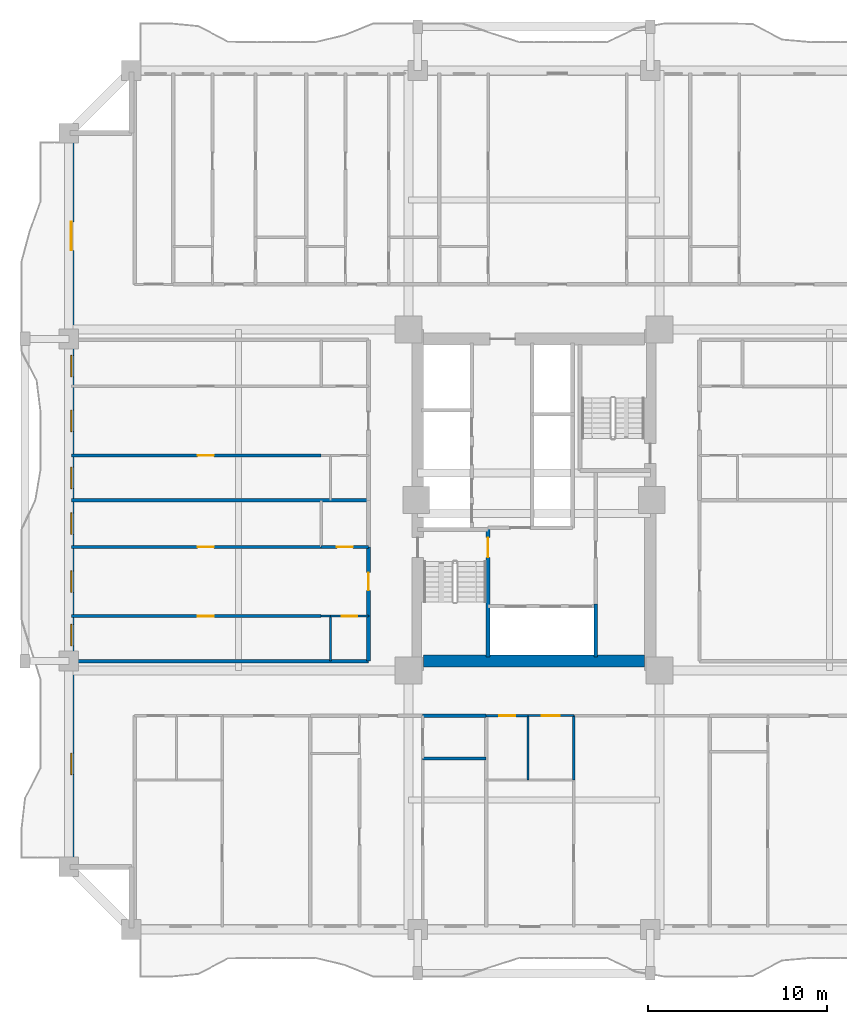
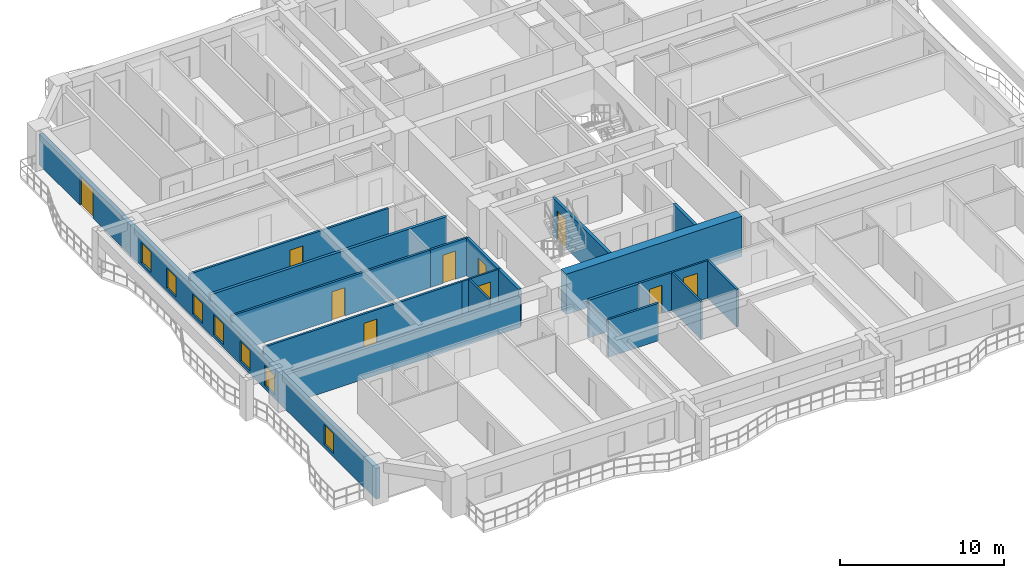
# One storey, part 3 of 15: 21 walls, 10 doors, 7 windows, 17 openings.
"""IFC4 building model written with IfcOpenShell, lengths in metres."""

from ifc_helpers import new_model, si_unit, direction, frame, frame_2d, origin, place, context, subcontext, project, spatial, rectangle, extrude, source, transform, mapped, material, layer, layer_set, type_object, element, fill, save


model = new_model("IFC4")

# Units and contexts
model_context = context("Model", 3, precision=1e-05, world=origin(), true_north=direction((0.0, 1.0)))
body_context = subcontext(model_context, "Body", "Model", "MODEL_VIEW")
ifc_project = project(units=[si_unit("LENGTHUNIT", "METRE"), si_unit("AREAUNIT", "SQUARE_METRE"), si_unit("VOLUMEUNIT", "CUBIC_METRE"), si_unit("PLANEANGLEUNIT", "RADIAN"), si_unit("MASSUNIT", "GRAM", prefix="KILO")], contexts=[model_context])

# Site, building, storey
site_placement = place(None, origin())
site = spatial("IfcSite", under=ifc_project, at=site_placement, CompositionType="ELEMENT")
building_placement = place(site_placement, origin())
building = spatial("IfcBuilding", under=site, at=building_placement, Name="Saelheon Loggia Tower", CompositionType="ELEMENT")
storey_placement = place(building_placement, frame((0.0, 0.0, 46.39990234375)))
storey = spatial("IfcBuildingStorey", under=building, at=storey_placement, Name="L14", CompositionType="ELEMENT", Elevation=46.39990234375)

# Wall
ifc_material_1 = material(Name="Concrete C60/75", Category="concrete")
ifc_layer_1 = layer(ifc_material_1, 0.64990234375)
ifc_layer_set_1 = layer_set([ifc_layer_1], Name="Concrete C60/75")
wall_type_1 = type_object("IfcWallType", Name="Wall_CoreShear_650", PredefinedType="SHEAR", material=ifc_layer_set_1)
wall_1_placement = place(storey_placement, frame((31.824951171875, 18.0, 0.0), z_axis=(0.0, 0.0, 1.0), x_axis=(1.0, 0.0, 0.0)))
element("IfcWall", 1, at=wall_1_placement, inside=storey, type_object=wall_type_1, Name="L14 Core Shear Wall South", PredefinedType="SHEAR", context=body_context, shape_type="SweptSolid", body=[
    extrude(rectangle(XDim=12.35009765625, YDim=0.64990234375, at=frame_2d((6.175048828125, 0.0))), origin(), (0.0, 0.0, 1.0), 3.0),
])

# Wall, openings, windows, door
ifc_material_2 = material(Name="Architectural Precast Concrete C40/50", Category="concrete")
ifc_layer_2 = layer(ifc_material_2, 0.280029296875)
ifc_layer_set_2 = layer_set([ifc_layer_2], Name="Architectural Precast Concrete C40/50")
wall_type_2 = type_object("IfcWallType", Name="Wall_Ext_Loggia_280", PredefinedType="SOLIDWALL", material=ifc_layer_set_2)
wall_2_placement = place(storey_placement, frame((12.139892578125, 6.5, 0.0), z_axis=(0.0, 0.0, 1.0), x_axis=(0.0, 1.0, 0.0)))
wall_2 = element("IfcWall", 2, at=wall_2_placement, inside=storey, type_object=wall_type_2, Name="L14 West Loggia Inner Wall", PredefinedType="SOLIDWALL", context=body_context, shape_type="SweptSolid", body=[
    extrude(rectangle(XDim=41.0, YDim=0.280029296875, at=frame_2d((20.5, 0.0))), origin(), (0.0, 0.0, 1.0), 2.280029296875),
])
opening_1_placement = place(wall_2_placement, frame((5.14990234375, 0.0, 0.25)))
opening_1 = element("IfcOpeningElement", 3, at=opening_1_placement, cuts=wall_2, Name="Opening WN-03", PredefinedType="OPENING", context=body_context, shape_type="SweptSolid", body=[
    extrude(rectangle(XDim=1.199951171875, YDim=1.5, at=frame_2d((0.60009765625, 0.75))), frame((0.0, 0.152099609375, 0.0), z_axis=(0.0, -1.0, 0.0), x_axis=(1.0, 0.0, 0.0)), (0.0, 0.0, 1.0), 0.303955078125),
])
opening_2_placement = place(wall_2_placement, frame((12.3515625, 0.0, 0.25)))
opening_2 = element("IfcOpeningElement", 4, at=opening_2_placement, cuts=wall_2, Name="Opening WN-03", PredefinedType="OPENING", context=body_context, shape_type="SweptSolid", body=[
    extrude(rectangle(XDim=1.199951171875, YDim=1.5, at=frame_2d((0.60009765625, 0.75))), frame((0.0, 0.152099609375, 0.0), z_axis=(0.0, -1.0, 0.0), x_axis=(1.0, 0.0, 0.0)), (0.0, 0.0, 1.0), 0.303955078125),
])
opening_3_placement = place(wall_2_placement, frame((15.343994140625, 0.0, 0.25)))
opening_3 = element("IfcOpeningElement", 5, at=opening_3_placement, cuts=wall_2, Name="Opening WN-03", PredefinedType="OPENING", context=body_context, shape_type="SweptSolid", body=[
    extrude(rectangle(XDim=1.199951171875, YDim=1.5, at=frame_2d((0.60009765625, 0.75))), frame((0.0, 0.152099609375, 0.0), z_axis=(0.0, -1.0, 0.0), x_axis=(1.0, 0.0, 0.0)), (0.0, 0.0, 1.0), 0.303955078125),
])
opening_4_placement = place(wall_2_placement, frame((18.574951171875, 0.0, 0.25)))
opening_4 = element("IfcOpeningElement", 6, at=opening_4_placement, cuts=wall_2, Name="Opening WN-03", PredefinedType="OPENING", context=body_context, shape_type="SweptSolid", body=[
    extrude(rectangle(XDim=1.199951171875, YDim=1.5, at=frame_2d((0.60009765625, 0.75))), frame((0.0, 0.152099609375, 0.0), z_axis=(0.0, -1.0, 0.0), x_axis=(1.0, 0.0, 0.0)), (0.0, 0.0, 1.0), 0.303955078125),
])
opening_5_placement = place(wall_2_placement, frame((21.131591796875, 0.0, 0.25)))
opening_5 = element("IfcOpeningElement", 7, at=opening_5_placement, cuts=wall_2, Name="Opening WN-03", PredefinedType="OPENING", context=body_context, shape_type="SweptSolid", body=[
    extrude(rectangle(XDim=1.199951171875, YDim=1.5, at=frame_2d((0.60009765625, 0.75))), frame((0.0, 0.152099609375, 0.0), z_axis=(0.0, -1.0, 0.0), x_axis=(1.0, 0.0, 0.0)), (0.0, 0.0, 1.0), 0.303955078125),
])
opening_6_placement = place(wall_2_placement, frame((24.319091796875, 0.0, 0.25)))
opening_6 = element("IfcOpeningElement", 8, at=opening_6_placement, cuts=wall_2, Name="Opening WN-03", PredefinedType="OPENING", context=body_context, shape_type="SweptSolid", body=[
    extrude(rectangle(XDim=1.199951171875, YDim=1.5, at=frame_2d((0.60009765625, 0.75))), frame((0.0, 0.152099609375, 0.0), z_axis=(0.0, -1.0, 0.0), x_axis=(1.0, 0.0, 0.0)), (0.0, 0.0, 1.0), 0.303955078125),
])
opening_7_placement = place(wall_2_placement, frame((27.3798828125, 0.0, 0.25)))
opening_7 = element("IfcOpeningElement", 9, at=opening_7_placement, cuts=wall_2, Name="Opening WN-03", PredefinedType="OPENING", context=body_context, shape_type="SweptSolid", body=[
    extrude(rectangle(XDim=1.199951171875, YDim=1.5, at=frame_2d((0.60009765625, 0.75))), frame((0.0, 0.152099609375, 0.0), z_axis=(0.0, -1.0, 0.0), x_axis=(1.0, 0.0, 0.0)), (0.0, 0.0, 1.0), 0.303955078125),
])
opening_8_placement = place(wall_2_placement, frame((34.449951171875, 0.0, 0.0)))
opening_8 = element("IfcOpeningElement", 10, at=opening_8_placement, cuts=wall_2, Name="Opening DLG-1", PredefinedType="OPENING", context=body_context, shape_type="SweptSolid", body=[
    extrude(rectangle(XDim=1.60009765625, YDim=2.14990234375, at=frame_2d((0.800048828125, 1.074951171875))), frame((0.0, 0.152099609375, 0.0), z_axis=(0.0, -1.0, 0.0), x_axis=(1.0, 0.0, 0.0)), (0.0, 0.0, 1.0), 0.303955078125),
])
ifc_material_3 = material(Name="Thermal-Break Aluminium and Triple Low-E Glass", Category="aluminium")
window_type = type_object("IfcWindowType", Name="Win_Bedroom_1200x1500", PartitioningType="SINGLE_PANEL", PredefinedType="WINDOW", material=ifc_material_3)
shared_shape_1 = source(origin(), body_context, "Body", "SweptSolid", [
    extrude(rectangle(XDim=1.199951171875, YDim=1.5, at=frame_2d((0.60009765625, 0.75))), frame((0.0, 0.030029296875, 0.0), z_axis=(0.0, -1.0, 0.0), x_axis=(1.0, 0.0, 0.0)), (0.0, 0.0, 1.0), 0.06005859375),
])
window_1_placement = place(opening_1_placement, origin())
window_1 = element("IfcWindow", 11, at=window_1_placement, inside=storey, type_object=window_type, Name="L14 W Dwelling Window 1", OverallHeight=1.5, OverallWidth=1.199951171875, PartitioningType="SINGLE_PANEL", PredefinedType="WINDOW", context=body_context, shape_type="MappedRepresentation", body=[
    mapped(shared_shape_1, transform((0.0, 0.0, 0.0), scale=1.0)),
])
fill(opening_1, window_1)
window_2_placement = place(opening_2_placement, origin())
window_2 = element("IfcWindow", 12, at=window_2_placement, inside=storey, type_object=window_type, Name="L14 W Dwelling Window 2", OverallHeight=1.5, OverallWidth=1.199951171875, PartitioningType="SINGLE_PANEL", PredefinedType="WINDOW", context=body_context, shape_type="MappedRepresentation", body=[
    mapped(shared_shape_1, transform((0.0, 0.0, 0.0), scale=1.0)),
])
fill(opening_2, window_2)
window_3_placement = place(opening_3_placement, origin())
window_3 = element("IfcWindow", 13, at=window_3_placement, inside=storey, type_object=window_type, Name="L14 W Dwelling Window 3", OverallHeight=1.5, OverallWidth=1.199951171875, PartitioningType="SINGLE_PANEL", PredefinedType="WINDOW", context=body_context, shape_type="MappedRepresentation", body=[
    mapped(shared_shape_1, transform((0.0, 0.0, 0.0), scale=1.0)),
])
fill(opening_3, window_3)
window_4_placement = place(opening_4_placement, origin())
window_4 = element("IfcWindow", 14, at=window_4_placement, inside=storey, type_object=window_type, Name="L14 W Dwelling Window 4", OverallHeight=1.5, OverallWidth=1.199951171875, PartitioningType="SINGLE_PANEL", PredefinedType="WINDOW", context=body_context, shape_type="MappedRepresentation", body=[
    mapped(shared_shape_1, transform((0.0, 0.0, 0.0), scale=1.0)),
])
fill(opening_4, window_4)
window_5_placement = place(opening_5_placement, origin())
window_5 = element("IfcWindow", 15, at=window_5_placement, inside=storey, type_object=window_type, Name="L14 W Dwelling Window 5", OverallHeight=1.5, OverallWidth=1.199951171875, PartitioningType="SINGLE_PANEL", PredefinedType="WINDOW", context=body_context, shape_type="MappedRepresentation", body=[
    mapped(shared_shape_1, transform((0.0, 0.0, 0.0), scale=1.0)),
])
fill(opening_5, window_5)
window_6_placement = place(opening_6_placement, origin())
window_6 = element("IfcWindow", 16, at=window_6_placement, inside=storey, type_object=window_type, Name="L14 W Dwelling Window 6", OverallHeight=1.5, OverallWidth=1.199951171875, PartitioningType="SINGLE_PANEL", PredefinedType="WINDOW", context=body_context, shape_type="MappedRepresentation", body=[
    mapped(shared_shape_1, transform((0.0, 0.0, 0.0), scale=1.0)),
])
fill(opening_6, window_6)
window_7_placement = place(opening_7_placement, origin())
window_7 = element("IfcWindow", 17, at=window_7_placement, inside=storey, type_object=window_type, Name="L14 W Dwelling Window 7", OverallHeight=1.5, OverallWidth=1.199951171875, PartitioningType="SINGLE_PANEL", PredefinedType="WINDOW", context=body_context, shape_type="MappedRepresentation", body=[
    mapped(shared_shape_1, transform((0.0, 0.0, 0.0), scale=1.0)),
])
fill(opening_7, window_7)
ifc_material_4 = material(Name="Thermal-Break Aluminium Sliding Glazed Door", Category="aluminium")
door_type_1 = type_object("IfcDoorType", Name="Door_LoggiaSlide_1600", OperationType="SLIDING_TO_LEFT", PredefinedType="DOOR", material=ifc_material_4)
shared_shape_2 = source(origin(), body_context, "Body", "SweptSolid", [
    extrude(rectangle(XDim=1.60009765625, YDim=2.14990234375, at=frame_2d((0.800048828125, 1.074951171875))), frame((0.0, 0.02490234375, 0.0), z_axis=(0.0, -1.0, 0.0), x_axis=(1.0, 0.0, 0.0)), (0.0, 0.0, 1.0), 0.050048828125),
])
door_1_placement = place(opening_8_placement, origin())
door_1 = element("IfcDoor", 18, at=door_1_placement, inside=storey, type_object=door_type_1, Name="L14 W Loggia Access Door", OperationType="SLIDING_TO_LEFT", OverallHeight=2.14990234375, OverallWidth=1.60009765625, PredefinedType="DOOR", context=body_context, shape_type="MappedRepresentation", body=[
    mapped(shared_shape_2, transform((0.0, 0.0, 0.0), scale=1.0)),
])
fill(opening_8, door_1)

# Walls
ifc_material_5 = material(Name="Lightweight Autoclaved Aerated Concrete Block and Acoustic Gypsum", Category="concrete")
ifc_layer_3 = layer(ifc_material_5, 0.14990234375)
ifc_layer_set_3 = layer_set([ifc_layer_3], Name="Lightweight Autoclaved Aerated Concrete Block and Acoustic Gypsum")
wall_type_3 = type_object("IfcWallType", Name="Wall_Part_150", PredefinedType="PARTITIONING", material=ifc_layer_set_3)
wall_3_placement = place(storey_placement, frame((31.780029296875, 12.550048828125, 0.0), z_axis=(0.0, 0.0, 1.0), x_axis=(1.0, 0.0, 0.0)))
element("IfcWall", 19, at=wall_3_placement, inside=storey, type_object=wall_type_3, Name="L14 S Partition V15", PredefinedType="PARTITIONING", context=body_context, shape_type="SweptSolid", body=[
    extrude(rectangle(XDim=3.54150390625, YDim=0.14990234375, at=frame_2d((1.770751953125, 0.0))), origin(), (0.0, 0.0, 1.0), 2.7900390625),
])
wall_4_placement = place(storey_placement, frame((40.2216796875, 14.949951171875, 0.0), z_axis=(0.0, 0.0, 1.0), x_axis=(0.0, -1.0, 0.0)))
element("IfcWall", 20, at=wall_4_placement, inside=storey, type_object=wall_type_3, Name="L14 S Partition U22", PredefinedType="PARTITIONING", context=body_context, shape_type="SweptSolid", body=[
    extrude(rectangle(XDim=3.599853515625, YDim=0.14990234375, at=frame_2d((1.7998046875, 0.0))), origin(), (0.0, 0.0, 1.0), 2.7900390625),
])

# Wall, opening, door
wall_5_placement = place(storey_placement, frame((35.321533203125, 14.949951171875, 0.0), z_axis=(0.0, 0.0, 1.0), x_axis=(1.0, 0.0, 0.0)))
wall_5 = element("IfcWall", 21, at=wall_5_placement, inside=storey, type_object=wall_type_3, Name="L14 S Partition V25", PredefinedType="PARTITIONING", context=body_context, shape_type="SweptSolid", body=[
    extrude(rectangle(XDim=2.35009765625, YDim=0.14990234375, at=frame_2d((1.175048828125, 0.0))), origin(), (0.0, 0.0, 1.0), 2.7900390625),
])
opening_9_placement = place(wall_5_placement, frame((0.72509765625, 0.0, 0.0)))
opening_9 = element("IfcOpeningElement", 22, at=opening_9_placement, cuts=wall_5, Name="Opening D-IN2", PredefinedType="OPENING", context=body_context, shape_type="SweptSolid", body=[
    extrude(rectangle(XDim=0.89990234375, YDim=2.10009765625, at=frame_2d((0.449951171875, 1.050048828125))), frame((0.0, 0.0869140625, 0.0), z_axis=(0.0, -1.0, 0.0), x_axis=(1.0, 0.0, 0.0)), (0.0, 0.0, 1.0), 0.173828125),
])
ifc_material_6 = material(Name="Engineered Oak Flush Door", Category="timber")
door_type_2 = type_object("IfcDoorType", Name="Door_Int_900", OperationType="NOTDEFINED", PredefinedType="DOOR", material=ifc_material_6)
shared_shape_3 = source(origin(), body_context, "Body", "SweptSolid", [
    extrude(rectangle(XDim=0.89990234375, YDim=2.10009765625, at=frame_2d((0.449951171875, 1.050048828125))), frame((0.0, 0.02490234375, 0.0), z_axis=(0.0, -1.0, 0.0), x_axis=(1.0, 0.0, 0.0)), (0.0, 0.0, 1.0), 0.050048828125),
])
door_2_placement = place(opening_9_placement, origin())
door_2 = element("IfcDoor", 23, at=door_2_placement, inside=storey, type_object=door_type_2, Name="L14 Community Pantry Door", OperationType="SINGLE_SWING_LEFT", OverallHeight=2.10009765625, OverallWidth=0.89990234375, PredefinedType="DOOR", context=body_context, shape_type="MappedRepresentation", body=[
    mapped(shared_shape_3, transform((0.0, 0.0, 0.0), scale=1.0)),
])
fill(opening_9, door_2)

wall_6_placement = place(storey_placement, frame((26.110107421875, 20.512939453125, 0.0), z_axis=(0.0, 0.0, 1.0), x_axis=(-1.0, 0.0, 0.0)))
wall_6 = element("IfcWall", 24, at=wall_6_placement, inside=storey, type_object=wall_type_3, Name="L14 W Partition U10", PredefinedType="PARTITIONING", context=body_context, shape_type="SweptSolid", body=[
    extrude(rectangle(XDim=13.960205078125, YDim=0.14990234375, at=frame_2d((6.97998046875, 0.0))), origin(), (0.0, 0.0, 1.0), 2.7900390625),
])
opening_10_placement = place(wall_6_placement, frame((6.005859375, 0.0, 0.0)))
opening_10 = element("IfcOpeningElement", 25, at=opening_10_placement, cuts=wall_6, Name="Opening D-IN2", PredefinedType="OPENING", context=body_context, shape_type="SweptSolid", body=[
    extrude(rectangle(XDim=0.89990234375, YDim=2.10009765625, at=frame_2d((0.449951171875, 1.050048828125))), frame((0.0, 0.0869140625, 0.0), z_axis=(0.0, -1.0, 0.0), x_axis=(1.0, 0.0, 0.0)), (0.0, 0.0, 1.0), 0.173828125),
])
door_3_placement = place(opening_10_placement, origin())
door_3 = element("IfcDoor", 26, at=door_3_placement, inside=storey, type_object=door_type_2, Name="Unit U07 Kitchen Door", OperationType="SINGLE_SWING_RIGHT", OverallHeight=2.10009765625, OverallWidth=0.89990234375, PredefinedType="DOOR", context=body_context, shape_type="MappedRepresentation", body=[
    mapped(shared_shape_3, transform((0.0, 0.0, 0.0), scale=1.0)),
])
fill(opening_10, door_3)

wall_7_placement = place(storey_placement, frame((28.75, 24.375, 0.0), z_axis=(0.0, 0.0, 1.0), x_axis=(-1.0, 0.0, 0.0)))
wall_7 = element("IfcWall", 27, at=wall_7_placement, inside=storey, type_object=wall_type_3, Name="L14 W Partition U11", PredefinedType="PARTITIONING", context=body_context, shape_type="SweptSolid", body=[
    extrude(rectangle(XDim=2.639892578125, YDim=0.14990234375, at=frame_2d((1.31982421875, 0.0))), origin(), (0.0, 0.0, 1.0), 2.7900390625),
])
opening_11_placement = place(wall_7_placement, frame((0.8701171875, 0.0, 0.0)))
opening_11 = element("IfcOpeningElement", 28, at=opening_11_placement, cuts=wall_7, Name="Opening D-IN2", PredefinedType="OPENING", context=body_context, shape_type="SweptSolid", body=[
    extrude(rectangle(XDim=0.89990234375, YDim=2.10009765625, at=frame_2d((0.449951171875, 1.050048828125))), frame((0.0, 0.0869140625, 0.0), z_axis=(0.0, -1.0, 0.0), x_axis=(1.0, 0.0, 0.0)), (0.0, 0.0, 1.0), 0.173828125),
])
door_4_placement = place(opening_11_placement, origin())
door_4 = element("IfcDoor", 29, at=door_4_placement, inside=storey, type_object=door_type_2, Name="Unit U07 Dressing Closet Door", OperationType="SINGLE_SWING_LEFT", OverallHeight=2.10009765625, OverallWidth=0.89990234375, PredefinedType="DOOR", context=body_context, shape_type="MappedRepresentation", body=[
    mapped(shared_shape_3, transform((0.0, 0.0, 0.0), scale=1.0)),
])
fill(opening_11, door_4)

wall_8_placement = place(storey_placement, frame((26.110107421875, 24.375, 0.0), z_axis=(0.0, 0.0, 1.0), x_axis=(-1.0, 0.0, 0.0)))
wall_8 = element("IfcWall", 30, at=wall_8_placement, inside=storey, type_object=wall_type_3, Name="L14 W Partition U12", PredefinedType="PARTITIONING", context=body_context, shape_type="SweptSolid", body=[
    extrude(rectangle(XDim=13.960205078125, YDim=0.14990234375, at=frame_2d((6.97998046875, 0.0))), origin(), (0.0, 0.0, 1.0), 2.7900390625),
])
opening_12_placement = place(wall_8_placement, frame((6.005859375, 0.0, 0.0)))
opening_12 = element("IfcOpeningElement", 31, at=opening_12_placement, cuts=wall_8, Name="Opening D-IN2", PredefinedType="OPENING", context=body_context, shape_type="SweptSolid", body=[
    extrude(rectangle(XDim=0.89990234375, YDim=2.10009765625, at=frame_2d((0.449951171875, 1.050048828125))), frame((0.0, 0.0869140625, 0.0), z_axis=(0.0, -1.0, 0.0), x_axis=(1.0, 0.0, 0.0)), (0.0, 0.0, 1.0), 0.173828125),
])
door_5_placement = place(opening_12_placement, origin())
door_5 = element("IfcDoor", 32, at=door_5_placement, inside=storey, type_object=door_type_2, Name="Unit U07 Bedroom 1 Door", OperationType="SINGLE_SWING_RIGHT", OverallHeight=2.10009765625, OverallWidth=0.89990234375, PredefinedType="DOOR", context=body_context, shape_type="MappedRepresentation", body=[
    mapped(shared_shape_3, transform((0.0, 0.0, 0.0), scale=1.0)),
])
fill(opening_12, door_5)

wall_9_placement = place(storey_placement, frame((26.110107421875, 29.488037109375, 0.0), z_axis=(0.0, 0.0, 1.0), x_axis=(-1.0, 0.0, 0.0)))
wall_9 = element("IfcWall", 33, at=wall_9_placement, inside=storey, type_object=wall_type_3, Name="L14 W Partition U21", PredefinedType="PARTITIONING", context=body_context, shape_type="SweptSolid", body=[
    extrude(rectangle(XDim=13.960205078125, YDim=0.14990234375, at=frame_2d((6.97998046875, 0.0))), origin(), (0.0, 0.0, 1.0), 2.7900390625),
])
opening_13_placement = place(wall_9_placement, frame((6.005859375, 0.0, 0.0)))
opening_13 = element("IfcOpeningElement", 34, at=opening_13_placement, cuts=wall_9, Name="Opening D-IN2", PredefinedType="OPENING", context=body_context, shape_type="SweptSolid", body=[
    extrude(rectangle(XDim=0.89990234375, YDim=2.10009765625, at=frame_2d((0.449951171875, 1.050048828125))), frame((0.0, 0.0869140625, 0.0), z_axis=(0.0, -1.0, 0.0), x_axis=(1.0, 0.0, 0.0)), (0.0, 0.0, 1.0), 0.173828125),
])
door_6_placement = place(opening_13_placement, origin())
door_6 = element("IfcDoor", 35, at=door_6_placement, inside=storey, type_object=door_type_2, Name="Unit U08 Kitchen Door", OperationType="SINGLE_SWING_LEFT", OverallHeight=2.10009765625, OverallWidth=0.89990234375, PredefinedType="DOOR", context=body_context, shape_type="MappedRepresentation", body=[
    mapped(shared_shape_3, transform((0.0, 0.0, 0.0), scale=1.0)),
])
fill(opening_13, door_6)

# Walls
ifc_material_7 = material(Name="Double Acoustic Stud and Fireboard Partition", Category="gypsum")
ifc_layer_4 = layer(ifc_material_7, 0.199951171875)
ifc_layer_set_4 = layer_set([ifc_layer_4], Name="Double Acoustic Stud and Fireboard Partition")
wall_type_4 = type_object("IfcWallType", Name="Wall_Party_200", PredefinedType="PARTITIONING", material=ifc_layer_set_4)
wall_10_placement = place(storey_placement, frame((31.780029296875, 14.949951171875, 0.0), z_axis=(0.0, 0.0, 1.0), x_axis=(1.0, 0.0, 0.0)))
element("IfcWall", 36, at=wall_10_placement, inside=storey, type_object=wall_type_4, Name="L14 S Partition V13", PredefinedType="PARTITIONING", context=body_context, shape_type="SweptSolid", body=[
    extrude(rectangle(XDim=3.54150390625, YDim=0.199951171875, at=frame_2d((1.770751953125, 0.0))), origin(), (0.0, 0.0, 1.0), 2.7900390625),
])
wall_11_placement = place(storey_placement, frame((28.75, 18.0, 0.0), z_axis=(0.0, 0.0, 1.0), x_axis=(-1.0, 0.0, 0.0)))
element("IfcWall", 37, at=wall_11_placement, inside=storey, type_object=wall_type_4, Name="L14 W Partition U01", PredefinedType="PARTITIONING", context=body_context, shape_type="SweptSolid", body=[
    extrude(rectangle(XDim=16.60009765625, YDim=0.199951171875, at=frame_2d((8.300048828125, 0.0))), origin(), (0.0, 0.0, 1.0), 2.239990234375),
])
wall_12_placement = place(storey_placement, frame((28.75, 18.0, 0.0), z_axis=(0.0, 0.0, 1.0), x_axis=(0.0, 1.0, 0.0)))
element("IfcWall", 38, at=wall_12_placement, inside=storey, type_object=wall_type_4, Name="L14 W Partition V03", PredefinedType="PARTITIONING", context=body_context, shape_type="SweptSolid", body=[
    extrude(rectangle(XDim=2.512939453125, YDim=0.199951171875, at=frame_2d((1.25634765625, 0.0))), origin(), (0.0, 0.0, 1.0), 2.7900390625),
])

# Wall, opening, door
wall_13_placement = place(storey_placement, frame((28.75, 20.512939453125, 0.0), z_axis=(0.0, 0.0, 1.0), x_axis=(0.0, 1.0, 0.0)))
wall_13 = element("IfcWall", 39, at=wall_13_placement, inside=storey, type_object=wall_type_4, Name="L14 W Partition V04", PredefinedType="PARTITIONING", context=body_context, shape_type="SweptSolid", body=[
    extrude(rectangle(XDim=3.862060546875, YDim=0.199951171875, at=frame_2d((1.93115234375, 0.0))), origin(), (0.0, 0.0, 1.0), 2.7900390625),
])
opening_14_placement = place(wall_13_placement, frame((1.430908203125, 0.0, 0.0)))
opening_14 = element("IfcOpeningElement", 40, at=opening_14_placement, cuts=wall_13, Name="Opening D-FD1", PredefinedType="OPENING", context=body_context, shape_type="SweptSolid", body=[
    extrude(rectangle(XDim=1.0, YDim=2.14990234375, at=frame_2d((0.5, 1.074951171875))), frame((0.0, 0.112060546875, 0.0), z_axis=(0.0, -1.0, 0.0), x_axis=(1.0, 0.0, 0.0)), (0.0, 0.0, 1.0), 0.223876953125),
])
ifc_material_8 = material(Name="Fire-Rated Engineered Timber Entrance Door", Category="wood")
door_type_3 = type_object("IfcDoorType", Name="Door_Flat_FD30S", OperationType="NOTDEFINED", PredefinedType="DOOR", material=ifc_material_8)
shared_shape_4 = source(origin(), body_context, "Body", "SweptSolid", [
    extrude(rectangle(XDim=1.0, YDim=2.14990234375, at=frame_2d((0.5, 1.074951171875))), frame((0.0, 0.02490234375, 0.0), z_axis=(0.0, -1.0, 0.0), x_axis=(1.0, 0.0, 0.0)), (0.0, 0.0, 1.0), 0.050048828125),
])
door_7_placement = place(opening_14_placement, origin())
door_7 = element("IfcDoor", 41, at=door_7_placement, inside=storey, type_object=door_type_3, Name="Unit U07 Entrance Door", OperationType="SINGLE_SWING_RIGHT", OverallHeight=2.14990234375, OverallWidth=1.0, PredefinedType="DOOR", context=body_context, shape_type="MappedRepresentation", body=[
    mapped(shared_shape_4, transform((0.0, 0.0, 0.0), scale=1.0)),
])
fill(opening_14, door_7)

# Walls
wall_14_placement = place(storey_placement, frame((28.75, 26.97509765625, 0.0), z_axis=(0.0, 0.0, 1.0), x_axis=(-1.0, 0.0, 0.0)))
element("IfcWall", 42, at=wall_14_placement, inside=storey, type_object=wall_type_4, Name="L14 W Partition U13", PredefinedType="PARTITIONING", context=body_context, shape_type="SweptSolid", body=[
    extrude(rectangle(XDim=16.60009765625, YDim=0.199951171875, at=frame_2d((8.300048828125, 0.0))), origin(), (0.0, 0.0, 1.0), 2.7900390625),
])
ifc_material_9 = material(Name="Concrete C40/50", Category="concrete")
ifc_layer_5 = layer(ifc_material_9, 0.199951171875)
ifc_layer_set_5 = layer_set([ifc_layer_5], Name="Concrete C40/50")
wall_type_5 = type_object("IfcWallType", Name="Wall_Shaft_200", PredefinedType="PARTITIONING", material=ifc_layer_set_5)
wall_15_placement = place(storey_placement, frame((41.449951171875, 18.219970703125, 0.0), z_axis=(0.0, 0.0, 1.0), x_axis=(0.0, 1.0, 0.0)))
element("IfcWall", 43, at=wall_15_placement, inside=storey, type_object=wall_type_5, Name="CW-INT-L14-BOH-W0", PredefinedType="PARTITIONING", context=body_context, shape_type="SweptSolid", body=[
    extrude(rectangle(XDim=2.9599609375, YDim=0.199951171875, at=frame_2d((1.47998046875, 0.0))), origin(), (0.0, 0.0, 1.0), 2.7900390625),
])

# Wall, opening, door
ifc_material_10 = material(Name="Concrete C45/55", Category="concrete")
ifc_layer_6 = layer(ifc_material_10, 0.199951171875)
ifc_layer_set_6 = layer_set([ifc_layer_6], Name="Concrete C45/55")
wall_type_6 = type_object("IfcWallType", Name="Wall_StairShaft_RC200", PredefinedType="SOLIDWALL", material=ifc_layer_set_6)
wall_16_placement = place(storey_placement, frame((35.429931640625, 18.219970703125, 0.0), z_axis=(0.0, 0.0, 1.0), x_axis=(0.0, 1.0, 0.0)))
wall_16 = element("IfcWall", 44, at=wall_16_placement, inside=storey, type_object=wall_type_6, Name="L14 Stair ST1 Shaft Wall", PredefinedType="SOLIDWALL", context=body_context, shape_type="SweptSolid", body=[
    extrude(rectangle(XDim=7.219970703125, YDim=0.199951171875, at=frame_2d((3.60986328125, 0.0))), origin(), (0.0, 0.0, 1.0), 2.7900390625),
])
opening_15_placement = place(wall_16_placement, frame((6.68017578125, 0.0, 0.0), z_axis=(0.0, 0.0, 1.0), x_axis=(-1.0, 0.0, 0.0)))
opening_15 = element("IfcOpeningElement", 45, at=opening_15_placement, cuts=wall_16, Name="Opening D-FD2", PredefinedType="OPENING", context=body_context, shape_type="SweptSolid", body=[
    extrude(rectangle(XDim=1.10009765625, YDim=2.14990234375, at=frame_2d((0.550048828125, 1.074951171875))), frame((0.0, 0.112060546875, 0.0), z_axis=(0.0, -1.0, 0.0), x_axis=(1.0, 0.0, 0.0)), (0.0, 0.0, 1.0), 0.223876953125),
])
ifc_material_11 = material(Name="Galvanised Steel Fire Door", Category="steel")
door_type_4 = type_object("IfcDoorType", Name="Door_Fire_FD60_1100", OperationType="NOTDEFINED", PredefinedType="DOOR", material=ifc_material_11)
shared_shape_5 = source(origin(), body_context, "Body", "SweptSolid", [
    extrude(rectangle(XDim=1.10009765625, YDim=2.14990234375, at=frame_2d((0.550048828125, 1.074951171875))), frame((0.0, 0.02490234375, 0.0), z_axis=(0.0, -1.0, 0.0), x_axis=(1.0, 0.0, 0.0)), (0.0, 0.0, 1.0), 0.050048828125),
])
door_8_placement = place(opening_15_placement, origin())
door_8 = element("IfcDoor", 46, at=door_8_placement, inside=storey, type_object=door_type_4, Name="L14 Stair ST1 Lobby Door", OperationType="SINGLE_SWING_RIGHT", OverallHeight=2.14990234375, OverallWidth=1.10009765625, PredefinedType="DOOR", context=body_context, shape_type="MappedRepresentation", body=[
    mapped(shared_shape_5, transform((0.0, 0.0, 0.0), scale=1.0)),
])
fill(opening_15, door_8)

# Wall
ifc_material_12 = material(Name="Moisture-Resistant Cement Board Partition", Category="gypsum")
ifc_layer_7 = layer(ifc_material_12, 0.1201171875)
ifc_layer_set_7 = layer_set([ifc_layer_7], Name="Moisture-Resistant Cement Board Partition")
wall_type_7 = type_object("IfcWallType", Name="Wall_WetPart_120", PredefinedType="PARTITIONING", material=ifc_layer_set_7)
wall_17_placement = place(storey_placement, frame((37.671630859375, 14.949951171875, 0.0), z_axis=(0.0, 0.0, 1.0), x_axis=(0.0, -1.0, 0.0)))
element("IfcWall", 47, at=wall_17_placement, inside=storey, type_object=wall_type_7, Name="L14 S Partition U21", PredefinedType="PARTITIONING", context=body_context, shape_type="SweptSolid", body=[
    extrude(rectangle(XDim=3.599853515625, YDim=0.1201171875, at=frame_2d((1.7998046875, 0.0))), origin(), (0.0, 0.0, 1.0), 2.7900390625),
])

# Wall, opening, door
wall_18_placement = place(storey_placement, frame((37.671630859375, 14.949951171875, 0.0), z_axis=(0.0, 0.0, 1.0), x_axis=(1.0, 0.0, 0.0)))
wall_18 = element("IfcWall", 48, at=wall_18_placement, inside=storey, type_object=wall_type_7, Name="L14 S Partition V26", PredefinedType="PARTITIONING", context=body_context, shape_type="SweptSolid", body=[
    extrude(rectangle(XDim=2.550048828125, YDim=0.1201171875, at=frame_2d((1.27490234375, 0.0))), origin(), (0.0, 0.0, 1.0), 2.7900390625),
])
opening_16_placement = place(wall_18_placement, frame((0.77490234375, 0.0, 0.0)))
opening_16 = element("IfcOpeningElement", 49, at=opening_16_placement, cuts=wall_18, Name="Opening D-AC1", PredefinedType="OPENING", context=body_context, shape_type="SweptSolid", body=[
    extrude(rectangle(XDim=1.0, YDim=2.10009765625, at=frame_2d((0.5, 1.050048828125))), frame((0.0, 0.072021484375, 0.0), z_axis=(0.0, -1.0, 0.0), x_axis=(1.0, 0.0, 0.0)), (0.0, 0.0, 1.0), 0.14404296875),
])
ifc_material_13 = material(Name="Accessible Laminate Flush Door", Category="timber")
door_type_5 = type_object("IfcDoorType", Name="Door_Acc_1000", OperationType="NOTDEFINED", PredefinedType="DOOR", material=ifc_material_13)
shared_shape_6 = source(origin(), body_context, "Body", "SweptSolid", [
    extrude(rectangle(XDim=1.0, YDim=2.10009765625, at=frame_2d((0.5, 1.050048828125))), frame((0.0, 0.02490234375, 0.0), z_axis=(0.0, -1.0, 0.0), x_axis=(1.0, 0.0, 0.0)), (0.0, 0.0, 1.0), 0.050048828125),
])
door_9_placement = place(opening_16_placement, origin())
door_9 = element("IfcDoor", 50, at=door_9_placement, inside=storey, type_object=door_type_5, Name="L14 Common Washroom Door", OperationType="SINGLE_SWING_RIGHT", OverallHeight=2.10009765625, OverallWidth=1.0, PredefinedType="DOOR", context=body_context, shape_type="MappedRepresentation", body=[
    mapped(shared_shape_6, transform((0.0, 0.0, 0.0), scale=1.0)),
])
fill(opening_16, door_9)

# Wall
wall_19_placement = place(storey_placement, frame((26.6298828125, 18.0, 0.0), z_axis=(0.0, 0.0, 1.0), x_axis=(0.0, 1.0, 0.0)))
element("IfcWall", 51, at=wall_19_placement, inside=storey, type_object=wall_type_7, Name="L14 W Partition V06", PredefinedType="PARTITIONING", context=body_context, shape_type="SweptSolid", body=[
    extrude(rectangle(XDim=2.512939453125, YDim=0.1201171875, at=frame_2d((1.25634765625, 0.0))), origin(), (0.0, 0.0, 1.0), 2.7900390625),
])

# Wall, opening, door
wall_20_placement = place(storey_placement, frame((28.75, 20.512939453125, 0.0), z_axis=(0.0, 0.0, 1.0), x_axis=(-1.0, 0.0, 0.0)))
wall_20 = element("IfcWall", 52, at=wall_20_placement, inside=storey, type_object=wall_type_7, Name="L14 W Partition U08", PredefinedType="PARTITIONING", context=body_context, shape_type="SweptSolid", body=[
    extrude(rectangle(XDim=2.1201171875, YDim=0.1201171875, at=frame_2d((1.06005859375, 0.0))), origin(), (0.0, 0.0, 1.0), 2.7900390625),
])
opening_17_placement = place(wall_20_placement, frame((0.635009765625, 0.0, 0.0)))
opening_17 = element("IfcOpeningElement", 53, at=opening_17_placement, cuts=wall_20, Name="Opening D-BT1", PredefinedType="OPENING", context=body_context, shape_type="SweptSolid", body=[
    extrude(rectangle(XDim=0.85009765625, YDim=2.050048828125, at=frame_2d((0.425048828125, 1.02490234375))), frame((0.0, 0.072021484375, 0.0), z_axis=(0.0, -1.0, 0.0), x_axis=(1.0, 0.0, 0.0)), (0.0, 0.0, 1.0), 0.14404296875),
])
ifc_material_14 = material(Name="Moisture-Resistant Laminate Timber Door", Category="wood")
door_type_6 = type_object("IfcDoorType", Name="Door_Bath_850", OperationType="NOTDEFINED", PredefinedType="DOOR", material=ifc_material_14)
shared_shape_7 = source(origin(), body_context, "Body", "SweptSolid", [
    extrude(rectangle(XDim=0.85009765625, YDim=2.050048828125, at=frame_2d((0.425048828125, 1.02490234375))), frame((0.0, 0.02490234375, 0.0), z_axis=(0.0, -1.0, 0.0), x_axis=(1.0, 0.0, 0.0)), (0.0, 0.0, 1.0), 0.050048828125),
])
door_10_placement = place(opening_17_placement, origin())
door_10 = element("IfcDoor", 54, at=door_10_placement, inside=storey, type_object=door_type_6, Name="Unit U07 Bathroom Door", OperationType="SINGLE_SWING_LEFT", OverallHeight=2.050048828125, OverallWidth=0.85009765625, PredefinedType="DOOR", context=body_context, shape_type="MappedRepresentation", body=[
    mapped(shared_shape_7, transform((0.0, 0.0, 0.0), scale=1.0)),
])
fill(opening_17, door_10)

# Wall
wall_21_placement = place(storey_placement, frame((26.6298828125, 20.512939453125, 0.0), z_axis=(0.0, 0.0, 1.0), x_axis=(-1.0, 0.0, 0.0)))
element("IfcWall", 55, at=wall_21_placement, inside=storey, type_object=wall_type_7, Name="L14 W Partition U09", PredefinedType="PARTITIONING", context=body_context, shape_type="SweptSolid", body=[
    extrude(rectangle(XDim=0.519775390625, YDim=0.1201171875, at=frame_2d((0.259765625, 0.0))), origin(), (0.0, 0.0, 1.0), 2.7900390625),
])

save(model, "model.ifc")
